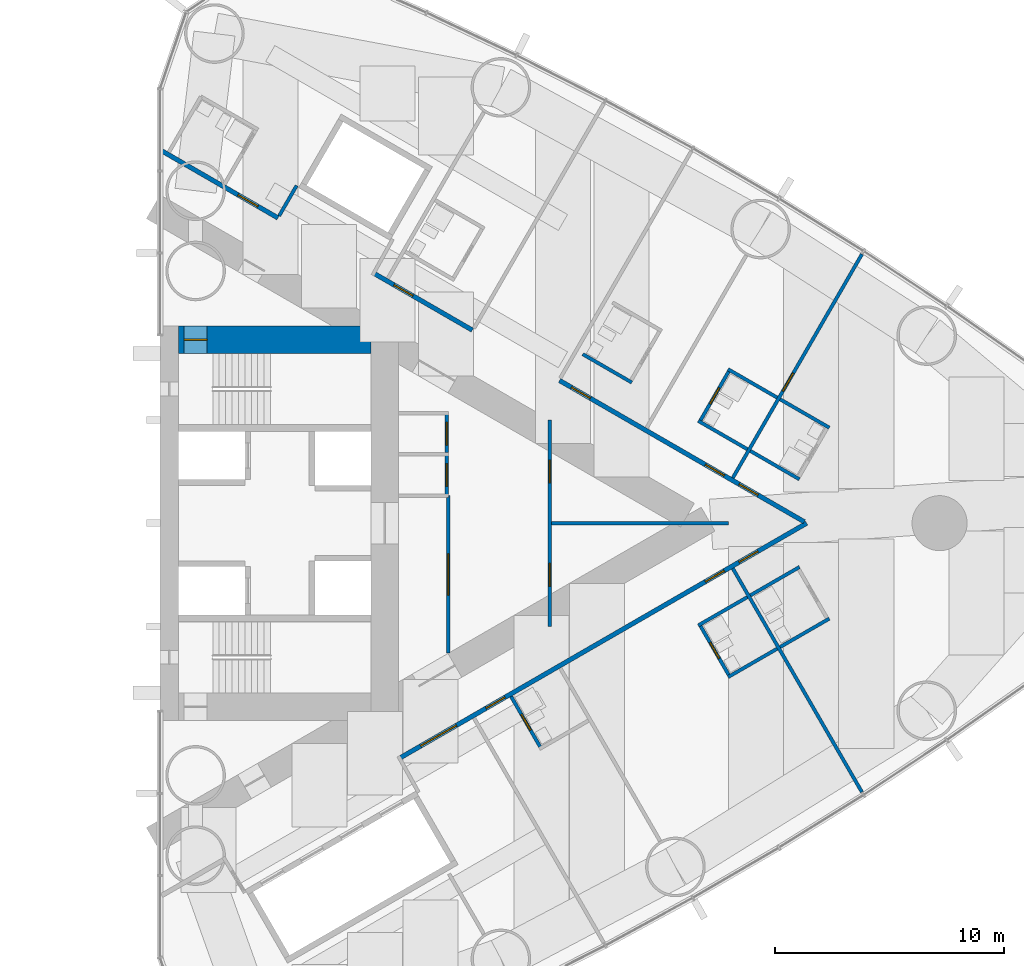
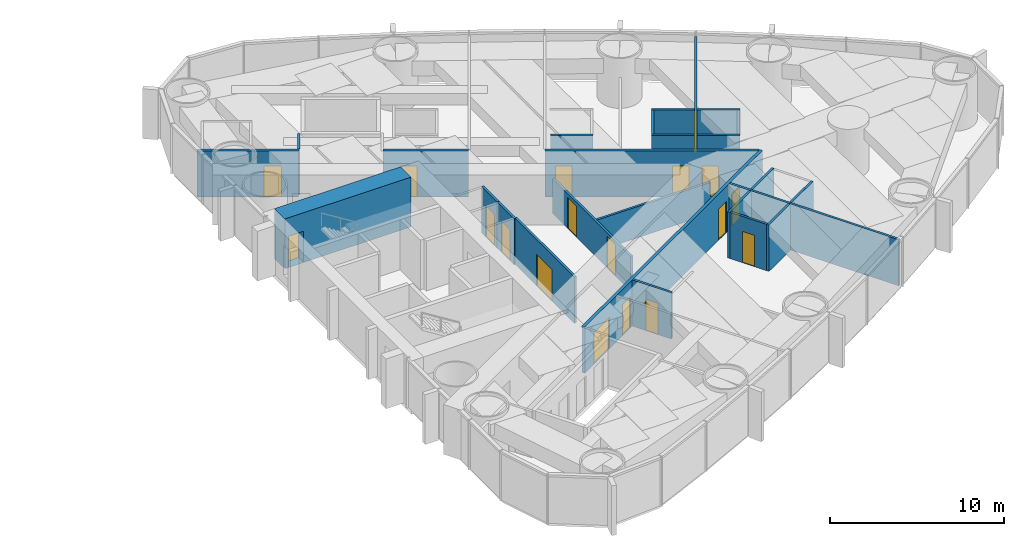
# One storey, part 14 of 18: 25 walls, 19 doors, 19 openings.
"""IFC4 building model written with IfcOpenShell, lengths in metres."""

import ifcopenshell
import ifcopenshell.guid

model = None  # the IFC model being written
_history = None  # IfcOwnerHistory: only IFC2X3 demands one
_inside = {}  # id of a spatial element -> (the spatial element, [elements in it])
_under = {}  # id of a project, library or spatial element -> (it, [spatial elements below it])
_declared = {}  # id of a project -> (the project, [libraries it declares])
_typed = {}  # id of a type object -> (the type object, [elements of that type])
_made_of = {}  # id of a material, layer set ... -> (it, [elements and type objects made of it])


def new_model(schema):
    """Start an empty IFC model of exactly this schema.

    Asked for "IFC4X3", IfcOpenShell would pick the latest addendum, in which some entities
    have other attributes; the version numbers below select the first issue.
    IFC2X3 requires an IfcOwnerHistory on every rooted entity: one is made here for all.
    """
    global model, _history
    if schema == "IFC4X3":
        model = ifcopenshell.file(schema_version=(4, 3, 0, 0))
    else:
        model = ifcopenshell.file(schema=schema)
    _inside.clear()
    _under.clear()
    _declared.clear()
    _typed.clear()
    _made_of.clear()
    _history = None
    if model.schema == "IFC2X3":
        org = make("IfcOrganization", Name="unknown")
        user = make(
            "IfcPersonAndOrganization",
            ThePerson=make("IfcPerson", FamilyName="unknown"),
            TheOrganization=org,
        )
        app = make(
            "IfcApplication",
            ApplicationDeveloper=org,
            Version="unknown",
            ApplicationFullName="unknown",
            ApplicationIdentifier="unknown",
        )
        _history = make(
            "IfcOwnerHistory",
            OwningUser=user,
            OwningApplication=app,
            ChangeAction="ADDED",
            CreationDate=0,
        )
    return model


def make(cls, **values):
    """One entity of the class cls with the attributes given. An attribute that is None is left unset."""
    return model.create_entity(
        cls, **{name: value for name, value in values.items() if value is not None}
    )


def rooted(cls, **values):
    """An entity with a GlobalId (a new one), such as an element, a storey or a relation."""
    return make(cls, GlobalId=ifcopenshell.guid.new(), OwnerHistory=_history, **values)


def si_unit(unit_type, name, prefix=None):
    """IfcSIUnit, for example si_unit("LENGTHUNIT", "METRE", prefix="MILLI")."""
    return make("IfcSIUnit", UnitType=unit_type, Prefix=prefix, Name=name)


def assignment(units):
    """IfcUnitAssignment: the units of a project."""
    return None if units is None else make("IfcUnitAssignment", Units=units)


def point(xyz):
    """IfcCartesianPoint."""
    return None if xyz is None else make("IfcCartesianPoint", Coordinates=xyz)


def direction(xyz):
    """IfcDirection."""
    return None if xyz is None else make("IfcDirection", DirectionRatios=xyz)


def frame(location, z_axis=None, x_axis=None):
    """IfcAxis2Placement3D, a coordinate frame: its origin and axes. An axis left out is left unset."""
    return make(
        "IfcAxis2Placement3D",
        Location=point(location),
        Axis=direction(z_axis),
        RefDirection=direction(x_axis),
    )


def frame_2d(location, x_axis=None):
    """IfcAxis2Placement2D, a coordinate frame in the plane: its origin and x axis."""
    return make(
        "IfcAxis2Placement2D", Location=point(location), RefDirection=direction(x_axis)
    )


def origin():
    """The frame at (0, 0, 0) with its axes left unset."""
    return frame((0.0, 0.0, 0.0))


def place(relative_to, where):
    """IfcLocalPlacement: puts the frame where relative to a parent placement (None: the world)."""
    return make(
        "IfcLocalPlacement", PlacementRelTo=relative_to, RelativePlacement=where
    )


def context(
    kind, dimensions, precision=None, world=None, true_north=None, identifier=None
):
    """IfcGeometricRepresentationContext, for example the 3D "Model" context."""
    return make(
        "IfcGeometricRepresentationContext",
        ContextIdentifier=identifier,
        ContextType=kind,
        CoordinateSpaceDimension=dimensions,
        Precision=precision,
        WorldCoordinateSystem=world,
        TrueNorth=true_north,
    )


def subcontext(parent, identifier, kind, view, scale=None):
    """IfcGeometricRepresentationSubContext, for example "Body" below "Model"."""
    return make(
        "IfcGeometricRepresentationSubContext",
        ContextIdentifier=identifier,
        ContextType=kind,
        ParentContext=parent,
        TargetScale=scale,
        TargetView=view,
    )


def project(units=None, contexts=None):
    """IfcProject with its units and contexts."""
    return rooted(
        "IfcProject",
        Name="project",
        RepresentationContexts=contexts,
        UnitsInContext=assignment(units),
    )


def spatial(cls, under=None, at=None, **own):
    """A site, building, storey or space (cls), placed at a placement, below another one or the project."""
    s = rooted(cls, ObjectPlacement=at, **own)
    if under is not None:
        _under.setdefault(under.id(), (under, []))[1].append(s)
    return s


def profile(cls, at=None, kind="AREA", **sizes):
    """A parametric profile (cls). Its sizes go by their IFC names, for example OverallWidth=200.0."""
    return make(cls, ProfileType=kind, Position=at, **sizes)


def rectangle(**sizes):
    """IfcRectangleProfileDef."""
    return profile("IfcRectangleProfileDef", **sizes)


def extrude(swept, where, along, depth):
    """IfcExtrudedAreaSolid: the profile swept, set in the frame where, extruded along a direction by depth."""
    return make(
        "IfcExtrudedAreaSolid",
        SweptArea=swept,
        Position=where,
        ExtrudedDirection=direction(along),
        Depth=depth,
    )


def shape(context_of_items, identifier, shape_type, items):
    """IfcShapeRepresentation: the items that make up one representation, for example the "Body"."""
    return make(
        "IfcShapeRepresentation",
        ContextOfItems=context_of_items,
        RepresentationIdentifier=identifier,
        RepresentationType=shape_type,
        Items=items,
    )


def material(Name=None, Category=None):
    """IfcMaterial."""
    return make("IfcMaterial", Name=Name, Category=Category)


def layer(
    of_material, thickness, ventilated=None, Name=None, Category=None, Priority=None
):
    """IfcMaterialLayer: one layer of a wall or slab, of a material (None: an air gap)."""
    return make(
        "IfcMaterialLayer",
        Material=of_material,
        LayerThickness=thickness,
        IsVentilated=ventilated,
        Name=Name,
        Category=Category,
        Priority=Priority,
    )


def layer_set(layers, Name=None):
    """IfcMaterialLayerSet."""
    return make("IfcMaterialLayerSet", MaterialLayers=layers, LayerSetName=Name)


def made_of(thing, what):
    """Note that an element or type object is made of a material, layer set ...; save() writes the relation."""
    if what is not None:
        _made_of.setdefault(what.id(), (what, []))[1].append(thing)
    return thing


def type_object(cls, material=None, **own):
    """A type object (cls), such as IfcWallType, which elements share."""
    return made_of(rooted(cls, **own), material)


def element(
    cls,
    number,
    at=None,
    inside=None,
    cuts=None,
    type_object=None,
    material=None,
    context=None,
    identifier="Body",
    shape_type=None,
    held_by="IfcProductDefinitionShape",
    body=None,
    shapes=None,
    **own,
):
    """One element of the class cls, such as IfcWall. Its Tag is "e" and its number.

    at: its placement. inside: the storey or other place that contains it. cuts: it is an
    opening in that element (IfcRelVoidsElement). A single representation is given by context,
    identifier, shape_type and body (its items); several are given by shapes. held_by: the class
    of the entity that holds the representations. save() writes the other relations.
    """
    e = rooted(cls, Tag="e%d" % number, ObjectPlacement=at, **own)
    if body is not None:
        shapes = [shape(context, identifier, shape_type, body)]
    if shapes is not None:
        e.Representation = make(held_by, Representations=shapes)
    if inside is not None:
        _inside.setdefault(inside.id(), (inside, []))[1].append(e)
    if cuts is not None:
        rooted(
            "IfcRelVoidsElement", RelatingBuildingElement=cuts, RelatedOpeningElement=e
        )
    if type_object is not None:
        _typed.setdefault(type_object.id(), (type_object, []))[1].append(e)
    return made_of(e, material)


def fill(opening, filler):
    """IfcRelFillsElement: the door or window that sits in an opening."""
    return rooted(
        "IfcRelFillsElement",
        RelatingOpeningElement=opening,
        RelatedBuildingElement=filler,
    )


def aggregate(whole, parts):
    """IfcRelAggregates: a whole, such as a stair, and the parts it consists of."""
    return rooted("IfcRelAggregates", RelatingObject=whole, RelatedObjects=parts)


def save(model, path):
    """Write the relations noted so far, then the file.

    IfcRelAggregates (storeys below a building ...), IfcRelContainedInSpatialStructure (elements
    in a storey), IfcRelDefinesByType, IfcRelAssociatesMaterial and IfcRelDeclares: one each for
    every whole, place, type object, material and project.
    """
    for whole, parts in _under.values():
        aggregate(whole, parts)
    for where, things in _inside.values():
        rooted(
            "IfcRelContainedInSpatialStructure",
            RelatedElements=things,
            RelatingStructure=where,
        )
    for kind, things in _typed.values():
        rooted("IfcRelDefinesByType", RelatedObjects=things, RelatingType=kind)
    for what, things in _made_of.values():
        rooted("IfcRelAssociatesMaterial", RelatedObjects=things, RelatingMaterial=what)
    for by, libraries in _declared.values():
        rooted("IfcRelDeclares", RelatingContext=by, RelatedDefinitions=libraries)
    model.write(path)


model = new_model("IFC4")

# Units and contexts
model_context = context("Model", 3, precision=1e-05, world=origin(), true_north=direction((0.0, 1.0)))
body_context = subcontext(model_context, "Body", "Model", "MODEL_VIEW")
ifc_project = project(units=[si_unit("LENGTHUNIT", "METRE"), si_unit("AREAUNIT", "SQUARE_METRE"), si_unit("VOLUMEUNIT", "CUBIC_METRE"), si_unit("PLANEANGLEUNIT", "RADIAN"), si_unit("MASSUNIT", "GRAM", prefix="KILO")], contexts=[model_context])

# Site, building, storey
site_placement = place(None, origin())
site = spatial("IfcSite", under=ifc_project, at=site_placement, CompositionType="ELEMENT")
building_placement = place(site_placement, origin())
building = spatial("IfcBuilding", under=site, at=building_placement, Name="Lancet Gate Hotel", CompositionType="ELEMENT")
storey_placement = place(building_placement, frame((0.0, 0.0, 115.10009765625)))
storey = spatial("IfcBuildingStorey", under=building, at=storey_placement, Name="L30", CompositionType="ELEMENT", Elevation=115.10009765625)

# Wall, opening, door
ifc_material_1 = material(Name="Moisture resistant board partition")
ifc_layer_1 = layer(ifc_material_1, 0.14990234375)
ifc_layer_set_1 = layer_set([ifc_layer_1], Name="Bathroom wall 150")
wall_type_1 = type_object("IfcWallType", Name="Bathroom wall 150", PredefinedType="PARTITIONING", material=ifc_layer_set_1)
wall_1_placement = place(storey_placement, frame((42.810302734375, -7.55859375, 0.0), z_axis=(0.0, 0.0, 1.0), x_axis=(0.499936506574, -0.866062058628, 0.0)))
wall_1 = element("IfcWall", 1, at=wall_1_placement, inside=storey, type_object=wall_type_1, Name="T2 bathroom wall 150 L30", PredefinedType="PARTITIONING", context=body_context, shape_type="SweptSolid", body=[
    extrude(rectangle(XDim=2.599853515625, YDim=0.14990234375, at=frame_2d((1.2998046875, 0.0))), origin(), (0.0, 0.0, 1.0), 3.25),
])
opening_1_placement = place(wall_1_placement, frame((0.89990234375, 0.0, 0.0)))
opening_1 = element("IfcOpeningElement", 2, at=opening_1_placement, cuts=wall_1, Name="Opening 3054-B", PredefinedType="OPENING", context=body_context, shape_type="SweptSolid", body=[
    extrude(rectangle(XDim=0.800048828125, YDim=2.199951171875, at=frame_2d((0.39990234375, 1.10009765625))), frame((0.0, 0.0849609375, 0.0), z_axis=(0.0, -1.0, 0.0), x_axis=(1.0, 0.0, 0.0)), (0.0, 0.0, 1.0), 0.169921875),
])
ifc_material_2 = material(Name="Timber door set", Category="wood")
door_type_1 = type_object("IfcDoorType", Name="Bathroom door 800", OperationType="SINGLE_SWING_RIGHT", PredefinedType="DOOR", material=ifc_material_2)
door_1_placement = place(opening_1_placement, origin())
door_1 = element("IfcDoor", 3, at=door_1_placement, inside=storey, type_object=door_type_1, Name="3054-B", OperationType="SINGLE_SWING_RIGHT", OverallHeight=2.199951171875, OverallWidth=0.800048828125, PredefinedType="DOOR", context=body_context, shape_type="SweptSolid", body=[
    extrude(rectangle(XDim=0.800048828125, YDim=2.199951171875, at=frame_2d((0.39990234375, 1.10009765625))), frame((0.0, 0.02490234375, 0.0), z_axis=(0.0, -1.0, 0.0), x_axis=(1.0, 0.0, 0.0)), (0.0, 0.0, 1.0), 0.050048828125),
])
fill(opening_1, door_1)

# Wall
wall_2_placement = place(storey_placement, frame((52.27294921875, -6.714111328125, 0.0), z_axis=(0.0, 0.0, 1.0), x_axis=(0.866031185235, 0.4999899861, 0.0)))
element("IfcWall", 4, at=wall_2_placement, inside=storey, type_object=wall_type_1, Name="T2 bathroom wall 150 L30", PredefinedType="PARTITIONING", context=body_context, shape_type="SweptSolid", body=[
    extrude(rectangle(XDim=2.47509765625, YDim=0.14990234375, at=frame_2d((1.237548828125, 0.0))), origin(), (0.0, 0.0, 1.0), 3.25),
])

# Wall, opening, door
wall_3_placement = place(storey_placement, frame((51.0380859375, -4.425048828125, 0.0), z_axis=(0.0, 0.0, 1.0), x_axis=(0.49997716683, -0.86603858612, 0.0)))
wall_3 = element("IfcWall", 5, at=wall_3_placement, inside=storey, type_object=wall_type_1, Name="T2 bathroom wall 150 L30", PredefinedType="PARTITIONING", context=body_context, shape_type="SweptSolid", body=[
    extrude(rectangle(XDim=2.599609375, YDim=0.14990234375, at=frame_2d((1.2998046875, 0.0))), origin(), (0.0, 0.0, 1.0), 3.25),
])
opening_2_placement = place(wall_3_placement, frame((0.89990234375, 0.0, 0.0)))
opening_2 = element("IfcOpeningElement", 6, at=opening_2_placement, cuts=wall_3, Name="Opening 3055-B", PredefinedType="OPENING", context=body_context, shape_type="SweptSolid", body=[
    extrude(rectangle(XDim=0.800048828125, YDim=2.199951171875, at=frame_2d((0.39990234375, 1.10009765625))), frame((0.0, 0.0849609375, 0.0), z_axis=(0.0, -1.0, 0.0), x_axis=(1.0, 0.0, 0.0)), (0.0, 0.0, 1.0), 0.169921875),
])
door_2_placement = place(opening_2_placement, origin())
door_2 = element("IfcDoor", 7, at=door_2_placement, inside=storey, type_object=door_type_1, Name="3055-B", OperationType="SINGLE_SWING_RIGHT", OverallHeight=2.199951171875, OverallWidth=0.800048828125, PredefinedType="DOOR", context=body_context, shape_type="SweptSolid", body=[
    extrude(rectangle(XDim=0.800048828125, YDim=2.199951171875, at=frame_2d((0.39990234375, 1.10009765625))), frame((0.0, 0.02490234375, 0.0), z_axis=(0.0, -1.0, 0.0), x_axis=(1.0, 0.0, 0.0)), (0.0, 0.0, 1.0), 0.050048828125),
])
fill(opening_2, door_2)

# Walls
wall_4_placement = place(storey_placement, frame((50.972900390625, -4.46240234375, 0.0), z_axis=(0.0, 0.0, 1.0), x_axis=(0.866031185235, 0.4999899861, 0.0)))
element("IfcWall", 8, at=wall_4_placement, inside=storey, type_object=wall_type_1, Name="T2 bathroom wall 150 L30", PredefinedType="PARTITIONING", context=body_context, shape_type="SweptSolid", body=[
    extrude(rectangle(XDim=2.47509765625, YDim=0.14990234375, at=frame_2d((1.237548828125, 0.0))), origin(), (0.0, 0.0, 1.0), 3.25),
])
for number, where, z_axis, x_axis, name in (
    (9, (54.54638671875, -5.401611328125, 0.0), (0.0, 0.0, 1.0), (0.866006523861, 0.500032699561, 0.0), "T2 bathroom wall 150 L30"),
    (10, (53.246337890625, -3.14990234375, 0.0), (0.0, 0.0, 1.0), (0.866006523861, 0.500032699561, 0.0), "T2 bathroom wall 150 L30"),
    (11, (54.54638671875, 5.401611328125, 0.0), (0.0, 0.0, 1.0), (0.866006523861, -0.500032699561, 0.0), "T2 bathroom wall 150 L30"),
    (12, (53.246337890625, 3.14990234375, 0.0), (0.0, 0.0, 1.0), (0.866006523861, -0.500032699561, 0.0), "T2 bathroom wall 150 L30"),
):
    element("IfcWall", number, at=place(storey_placement, frame(where, z_axis=z_axis, x_axis=x_axis)), inside=storey, type_object=wall_type_1, Name=name, PredefinedType="PARTITIONING", context=body_context, shape_type="SweptSolid", body=[
        extrude(rectangle(XDim=2.474853515625, YDim=0.14990234375, at=frame_2d((1.2373046875, 0.0))), origin(), (0.0, 0.0, 1.0), 3.25),
    ])
wall_5_placement = place(storey_placement, frame((52.27294921875, 6.714111328125, 0.0), z_axis=(0.0, 0.0, 1.0), x_axis=(0.866031185235, -0.4999899861, 0.0)))
element("IfcWall", 13, at=wall_5_placement, inside=storey, type_object=wall_type_1, Name="T2 bathroom wall 150 L30", PredefinedType="PARTITIONING", context=body_context, shape_type="SweptSolid", body=[
    extrude(rectangle(XDim=2.47509765625, YDim=0.14990234375, at=frame_2d((1.237548828125, 0.0))), origin(), (0.0, 0.0, 1.0), 3.25),
])

# Wall, opening, door
wall_6_placement = place(storey_placement, frame((51.0380859375, 4.425048828125, 0.0), z_axis=(0.0, 0.0, 1.0), x_axis=(0.49997716683, 0.86603858612, 0.0)))
wall_6 = element("IfcWall", 14, at=wall_6_placement, inside=storey, type_object=wall_type_1, Name="T2 bathroom wall 150 L30", PredefinedType="PARTITIONING", context=body_context, shape_type="SweptSolid", body=[
    extrude(rectangle(XDim=2.599609375, YDim=0.14990234375, at=frame_2d((1.2998046875, 0.0))), origin(), (0.0, 0.0, 1.0), 3.25),
])
opening_3_placement = place(wall_6_placement, frame((0.89990234375, 0.0, 0.0)))
opening_3 = element("IfcOpeningElement", 15, at=opening_3_placement, cuts=wall_6, Name="Opening 3059-B", PredefinedType="OPENING", context=body_context, shape_type="SweptSolid", body=[
    extrude(rectangle(XDim=0.800048828125, YDim=2.199951171875, at=frame_2d((0.39990234375, 1.10009765625))), frame((0.0, 0.0849609375, 0.0), z_axis=(0.0, -1.0, 0.0), x_axis=(1.0, 0.0, 0.0)), (0.0, 0.0, 1.0), 0.169921875),
])
door_3_placement = place(opening_3_placement, origin())
door_3 = element("IfcDoor", 16, at=door_3_placement, inside=storey, type_object=door_type_1, Name="3059-B", OperationType="SINGLE_SWING_RIGHT", OverallHeight=2.199951171875, OverallWidth=0.800048828125, PredefinedType="DOOR", context=body_context, shape_type="SweptSolid", body=[
    extrude(rectangle(XDim=0.800048828125, YDim=2.199951171875, at=frame_2d((0.39990234375, 1.10009765625))), frame((0.0, 0.02490234375, 0.0), z_axis=(0.0, -1.0, 0.0), x_axis=(1.0, 0.0, 0.0)), (0.0, 0.0, 1.0), 0.050048828125),
])
fill(opening_3, door_3)

# Walls
for number, where, z_axis, x_axis, name in (
    (17, (50.972900390625, 4.46240234375, 0.0), (0.0, 0.0, 1.0), (0.866031185235, -0.4999899861, 0.0), "T2 bathroom wall 150 L30"),
    (18, (45.93505859375, 7.37109375, 0.0), (0.0, 0.0, 1.0), (0.866031185235, -0.4999899861, 0.0), "T2 bathroom wall 150 L30"),
):
    element("IfcWall", number, at=place(storey_placement, frame(where, z_axis=z_axis, x_axis=x_axis)), inside=storey, type_object=wall_type_1, Name=name, PredefinedType="PARTITIONING", context=body_context, shape_type="SweptSolid", body=[
        extrude(rectangle(XDim=2.47509765625, YDim=0.14990234375, at=frame_2d((1.237548828125, 0.0))), origin(), (0.0, 0.0, 1.0), 3.25),
    ])

# Wall, opening, door
ifc_material_3 = material(Name="Concrete C70/85", Category="concrete")
ifc_layer_2 = layer(ifc_material_3, 1.199951171875)
ifc_layer_set_2 = layer_set([ifc_layer_2], Name="Core wall 1200")
wall_type_2 = type_object("IfcWallType", Name="Core wall 1200", PredefinedType="SHEAR", material=ifc_layer_set_2)
wall_7_placement = place(storey_placement, frame((28.300048828125, 8.0, 0.0), z_axis=(0.0, 0.0, 1.0), x_axis=(1.0, 0.0, 0.0)))
wall_7 = element("IfcWall", 19, at=wall_7_placement, inside=storey, type_object=wall_type_2, Name="T2 core wall side-N L30", PredefinedType="SHEAR", context=body_context, shape_type="SweptSolid", body=[
    extrude(rectangle(XDim=8.39990234375, YDim=1.199951171875, at=frame_2d((4.199951171875, 0.0))), origin(), (0.0, 0.0, 1.0), 3.5),
])
opening_4_placement = place(wall_7_placement, frame((0.25, 0.0, 0.0)))
opening_4 = element("IfcOpeningElement", 20, at=opening_4_placement, cuts=wall_7, Name="Opening T2-L30-ST2", PredefinedType="OPENING", context=body_context, shape_type="SweptSolid", body=[
    extrude(rectangle(XDim=1.0, YDim=2.199951171875, at=frame_2d((0.5, 1.10009765625))), frame((0.0, 0.60986328125, 0.0), z_axis=(0.0, -1.0, 0.0), x_axis=(1.0, 0.0, 0.0)), (0.0, 0.0, 1.0), 1.219970703125),
])
ifc_material_4 = material(Name="Timber door set", Category="wood")
door_type_2 = type_object("IfcDoorType", Name="Stair door 1000", OperationType="SINGLE_SWING_RIGHT", PredefinedType="DOOR", material=ifc_material_4)
door_4_placement = place(opening_4_placement, origin())
door_4 = element("IfcDoor", 21, at=door_4_placement, inside=storey, type_object=door_type_2, Name="T2-L30-ST2", OperationType="SINGLE_SWING_RIGHT", OverallHeight=2.199951171875, OverallWidth=1.0, PredefinedType="DOOR", context=body_context, shape_type="SweptSolid", body=[
    extrude(rectangle(XDim=1.0, YDim=2.199951171875, at=frame_2d((0.5, 1.10009765625))), frame((0.0, 0.02490234375, 0.0), z_axis=(0.0, -1.0, 0.0), x_axis=(1.0, 0.0, 0.0)), (0.0, 0.0, 1.0), 0.050048828125),
])
fill(opening_4, door_4)

# Wall, openings, doors
ifc_material_5 = material(Name="Gypsum board partition")
ifc_layer_3 = layer(ifc_material_5, 0.199951171875)
ifc_layer_set_3 = layer_set([ifc_layer_3], Name="Corridor wall 200")
wall_type_3 = type_object("IfcWallType", Name="Corridor wall 200", PredefinedType="PARTITIONING", material=ifc_layer_set_3)
wall_8_placement = place(storey_placement, frame((37.9599609375, -10.243408203125, 0.0), z_axis=(0.0, 0.0, 1.0), x_axis=(0.866026429433, 0.499998223521, 0.0)))
wall_8 = element("IfcWall", 22, at=wall_8_placement, inside=storey, type_object=wall_type_3, Name="T2 corridor wall 200 L30", PredefinedType="PARTITIONING", context=body_context, shape_type="SweptSolid", body=[
    extrude(rectangle(XDim=20.48681640625, YDim=0.199951171875, at=frame_2d((10.243408203125, 0.0))), origin(), (0.0, 0.0, 1.0), 3.25),
])
opening_5_placement = place(wall_8_placement, frame((4.3427734375, 0.0, 0.0)))
opening_5 = element("IfcOpeningElement", 23, at=opening_5_placement, cuts=wall_8, Name="Opening 3054-E", PredefinedType="OPENING", context=body_context, shape_type="SweptSolid", body=[
    extrude(rectangle(XDim=0.949951171875, YDim=2.199951171875, at=frame_2d((0.47509765625, 1.10009765625))), frame((0.0, 0.10986328125, 0.0), z_axis=(0.0, -1.0, 0.0), x_axis=(1.0, 0.0, 0.0)), (0.0, 0.0, 1.0), 0.219970703125),
])
opening_6_placement = place(wall_8_placement, frame((15.385009765625, 0.0, 0.0)))
opening_6 = element("IfcOpeningElement", 24, at=opening_6_placement, cuts=wall_8, Name="Opening 3055-E", PredefinedType="OPENING", context=body_context, shape_type="SweptSolid", body=[
    extrude(rectangle(XDim=0.949951171875, YDim=2.199951171875, at=frame_2d((0.47509765625, 1.10009765625))), frame((0.0, 0.10986328125, 0.0), z_axis=(0.0, -1.0, 0.0), x_axis=(1.0, 0.0, 0.0)), (0.0, 0.0, 1.0), 0.219970703125),
])
opening_7_placement = place(wall_8_placement, frame((17.085205078125, 0.0, 0.0)))
opening_7 = element("IfcOpeningElement", 25, at=opening_7_placement, cuts=wall_8, Name="Opening 3057-E", PredefinedType="OPENING", context=body_context, shape_type="SweptSolid", body=[
    extrude(rectangle(XDim=0.949951171875, YDim=2.199951171875, at=frame_2d((0.47509765625, 1.10009765625))), frame((0.0, 0.10986328125, 0.0), z_axis=(0.0, -1.0, 0.0), x_axis=(1.0, 0.0, 0.0)), (0.0, 0.0, 1.0), 0.219970703125),
])
opening_8_placement = place(wall_8_placement, frame((1.04833984375, 0.0, 0.0)))
opening_8 = element("IfcOpeningElement", 26, at=opening_8_placement, cuts=wall_8, Name="Opening T2-L30-LO2", PredefinedType="OPENING", context=body_context, shape_type="SweptSolid", body=[
    extrude(rectangle(XDim=1.800048828125, YDim=2.199951171875, at=frame_2d((0.89990234375, 1.10009765625))), frame((0.0, 0.10986328125, 0.0), z_axis=(0.0, -1.0, 0.0), x_axis=(1.0, 0.0, 0.0)), (0.0, 0.0, 1.0), 0.219970703125),
])
ifc_material_6 = material(Name="Timber door set", Category="wood")
door_type_3 = type_object("IfcDoorType", Name="Double door 1800", OperationType="DOUBLE_DOOR_SINGLE_SWING", PredefinedType="DOOR", material=ifc_material_6)
door_5_placement = place(opening_8_placement, origin())
door_5 = element("IfcDoor", 27, at=door_5_placement, inside=storey, type_object=door_type_3, Name="T2-L30-LO2", OperationType="DOUBLE_DOOR_SINGLE_SWING", OverallHeight=2.199951171875, OverallWidth=1.800048828125, PredefinedType="DOOR", context=body_context, shape_type="SweptSolid", body=[
    extrude(rectangle(XDim=1.800048828125, YDim=2.199951171875, at=frame_2d((0.89990234375, 1.10009765625))), frame((0.0, 0.02490234375, 0.0), z_axis=(0.0, -1.0, 0.0), x_axis=(1.0, 0.0, 0.0)), (0.0, 0.0, 1.0), 0.050048828125),
])
fill(opening_8, door_5)
ifc_material_7 = material(Name="Timber door set", Category="wood")
door_type_4 = type_object("IfcDoorType", Name="Guest room entry door 950", OperationType="SINGLE_SWING_LEFT", PredefinedType="DOOR", material=ifc_material_7)
door_6_placement = place(opening_5_placement, origin())
door_6 = element("IfcDoor", 28, at=door_6_placement, inside=storey, type_object=door_type_4, Name="3054-E", OperationType="SINGLE_SWING_LEFT", OverallHeight=2.199951171875, OverallWidth=0.949951171875, PredefinedType="DOOR", context=body_context, shape_type="SweptSolid", body=[
    extrude(rectangle(XDim=0.949951171875, YDim=2.199951171875, at=frame_2d((0.47509765625, 1.10009765625))), frame((0.0, 0.02490234375, 0.0), z_axis=(0.0, -1.0, 0.0), x_axis=(1.0, 0.0, 0.0)), (0.0, 0.0, 1.0), 0.050048828125),
])
fill(opening_5, door_6)
door_7_placement = place(opening_6_placement, origin())
door_7 = element("IfcDoor", 29, at=door_7_placement, inside=storey, type_object=door_type_4, Name="3055-E", OperationType="SINGLE_SWING_LEFT", OverallHeight=2.199951171875, OverallWidth=0.949951171875, PredefinedType="DOOR", context=body_context, shape_type="SweptSolid", body=[
    extrude(rectangle(XDim=0.949951171875, YDim=2.199951171875, at=frame_2d((0.47509765625, 1.10009765625))), frame((0.0, 0.02490234375, 0.0), z_axis=(0.0, -1.0, 0.0), x_axis=(1.0, 0.0, 0.0)), (0.0, 0.0, 1.0), 0.050048828125),
])
fill(opening_6, door_7)
door_8_placement = place(opening_7_placement, origin())
door_8 = element("IfcDoor", 30, at=door_8_placement, inside=storey, type_object=door_type_4, Name="3057-E", OperationType="SINGLE_SWING_LEFT", OverallHeight=2.199951171875, OverallWidth=0.949951171875, PredefinedType="DOOR", context=body_context, shape_type="SweptSolid", body=[
    extrude(rectangle(XDim=0.949951171875, YDim=2.199951171875, at=frame_2d((0.47509765625, 1.10009765625))), frame((0.0, 0.02490234375, 0.0), z_axis=(0.0, -1.0, 0.0), x_axis=(1.0, 0.0, 0.0)), (0.0, 0.0, 1.0), 0.050048828125),
])
fill(opening_7, door_8)

# Wall, opening, door
wall_9_placement = place(storey_placement, frame((27.572021484375, 16.240966796875, 0.0), z_axis=(0.0, 0.0, 1.0), x_axis=(0.866032814021, -0.499987164874, 0.0)))
wall_9 = element("IfcWall", 31, at=wall_9_placement, inside=storey, type_object=wall_type_3, Name="T2 corridor wall 200 L30", PredefinedType="PARTITIONING", context=body_context, shape_type="SweptSolid", body=[
    extrude(rectangle(XDim=5.854736328125, YDim=0.199951171875, at=frame_2d((2.92724609375, 0.0))), origin(), (0.0, 0.0, 1.0), 3.25),
])
opening_9_placement = place(wall_9_placement, frame((3.85009765625, 0.0, 0.0)))
opening_9 = element("IfcOpeningElement", 32, at=opening_9_placement, cuts=wall_9, Name="Opening 3063-E", PredefinedType="OPENING", context=body_context, shape_type="SweptSolid", body=[
    extrude(rectangle(XDim=1.0, YDim=2.199951171875, at=frame_2d((0.5, 1.10009765625))), frame((0.0, 0.10986328125, 0.0), z_axis=(0.0, -1.0, 0.0), x_axis=(1.0, 0.0, 0.0)), (0.0, 0.0, 1.0), 0.219970703125),
])
ifc_material_8 = material(Name="Timber door set", Category="wood")
door_type_5 = type_object("IfcDoorType", Name="Accessible guest room door 1000", OperationType="SINGLE_SWING_LEFT", PredefinedType="DOOR", material=ifc_material_8)
door_9_placement = place(opening_9_placement, origin())
door_9 = element("IfcDoor", 33, at=door_9_placement, inside=storey, type_object=door_type_5, Name="3063-E", OperationType="SINGLE_SWING_LEFT", OverallHeight=2.199951171875, OverallWidth=1.0, PredefinedType="DOOR", context=body_context, shape_type="SweptSolid", body=[
    extrude(rectangle(XDim=1.0, YDim=2.199951171875, at=frame_2d((0.5, 1.10009765625))), frame((0.0, 0.02490234375, 0.0), z_axis=(0.0, -1.0, 0.0), x_axis=(1.0, 0.0, 0.0)), (0.0, 0.0, 1.0), 0.050048828125),
])
fill(opening_9, door_9)

wall_10_placement = place(storey_placement, frame((36.833984375, 10.8935546875, 0.0), z_axis=(0.0, 0.0, 1.0), x_axis=(0.866032723471, -0.499987321717, 0.0)))
wall_10 = element("IfcWall", 34, at=wall_10_placement, inside=storey, type_object=wall_type_3, Name="T2 corridor wall 200 L30", PredefinedType="PARTITIONING", context=body_context, shape_type="SweptSolid", body=[
    extrude(rectangle(XDim=4.947021484375, YDim=0.199951171875, at=frame_2d((2.4736328125, 0.0))), origin(), (0.0, 0.0, 1.0), 3.25),
])
opening_10_placement = place(wall_10_placement, frame((1.005615234375, 0.0, 0.0)))
opening_10 = element("IfcOpeningElement", 35, at=opening_10_placement, cuts=wall_10, Name="Opening 3062-E", PredefinedType="OPENING", context=body_context, shape_type="SweptSolid", body=[
    extrude(rectangle(XDim=0.949951171875, YDim=2.199951171875, at=frame_2d((0.47509765625, 1.10009765625))), frame((0.0, 0.10986328125, 0.0), z_axis=(0.0, -1.0, 0.0), x_axis=(1.0, 0.0, 0.0)), (0.0, 0.0, 1.0), 0.219970703125),
])
door_10_placement = place(opening_10_placement, origin())
door_10 = element("IfcDoor", 36, at=door_10_placement, inside=storey, type_object=door_type_4, Name="3062-E", OperationType="SINGLE_SWING_LEFT", OverallHeight=2.199951171875, OverallWidth=0.949951171875, PredefinedType="DOOR", context=body_context, shape_type="SweptSolid", body=[
    extrude(rectangle(XDim=0.949951171875, YDim=2.199951171875, at=frame_2d((0.47509765625, 1.10009765625))), frame((0.0, 0.02490234375, 0.0), z_axis=(0.0, -1.0, 0.0), x_axis=(1.0, 0.0, 0.0)), (0.0, 0.0, 1.0), 0.050048828125),
])
fill(opening_10, door_10)

# Wall, openings, doors
wall_11_placement = place(storey_placement, frame((44.92529296875, 6.22216796875, 0.0), z_axis=(0.0, 0.0, 1.0), x_axis=(0.866025590081, -0.499999677325, 0.0)))
wall_11 = element("IfcWall", 37, at=wall_11_placement, inside=storey, type_object=wall_type_3, Name="T2 corridor wall 200 L30", PredefinedType="PARTITIONING", context=body_context, shape_type="SweptSolid", body=[
    extrude(rectangle(XDim=12.32421875, YDim=0.199951171875, at=frame_2d((6.162109375, 0.0))), origin(), (0.0, 0.0, 1.0), 3.25),
])
opening_11_placement = place(wall_11_placement, frame((9.042236328125, 0.0, 0.0)))
opening_11 = element("IfcOpeningElement", 38, at=opening_11_placement, cuts=wall_11, Name="Opening 3058-E", PredefinedType="OPENING", context=body_context, shape_type="SweptSolid", body=[
    extrude(rectangle(XDim=0.949951171875, YDim=2.199951171875, at=frame_2d((0.47509765625, 1.10009765625))), frame((0.0, 0.10986328125, 0.0), z_axis=(0.0, -1.0, 0.0), x_axis=(1.0, 0.0, 0.0)), (0.0, 0.0, 1.0), 0.219970703125),
])
opening_12_placement = place(wall_11_placement, frame((7.34228515625, 0.0, 0.0)))
opening_12 = element("IfcOpeningElement", 39, at=opening_12_placement, cuts=wall_11, Name="Opening 3059-E", PredefinedType="OPENING", context=body_context, shape_type="SweptSolid", body=[
    extrude(rectangle(XDim=0.949951171875, YDim=2.199951171875, at=frame_2d((0.47509765625, 1.10009765625))), frame((0.0, 0.10986328125, 0.0), z_axis=(0.0, -1.0, 0.0), x_axis=(1.0, 0.0, 0.0)), (0.0, 0.0, 1.0), 0.219970703125),
])
opening_13_placement = place(wall_11_placement, frame((0.60009765625, 0.0, 0.0)))
opening_13 = element("IfcOpeningElement", 40, at=opening_13_placement, cuts=wall_11, Name="Opening 3060-E", PredefinedType="OPENING", context=body_context, shape_type="SweptSolid", body=[
    extrude(rectangle(XDim=0.949951171875, YDim=2.199951171875, at=frame_2d((0.47509765625, 1.10009765625))), frame((0.0, 0.10986328125, 0.0), z_axis=(0.0, -1.0, 0.0), x_axis=(1.0, 0.0, 0.0)), (0.0, 0.0, 1.0), 0.219970703125),
])
door_11_placement = place(opening_11_placement, origin())
door_11 = element("IfcDoor", 41, at=door_11_placement, inside=storey, type_object=door_type_4, Name="3058-E", OperationType="SINGLE_SWING_LEFT", OverallHeight=2.199951171875, OverallWidth=0.949951171875, PredefinedType="DOOR", context=body_context, shape_type="SweptSolid", body=[
    extrude(rectangle(XDim=0.949951171875, YDim=2.199951171875, at=frame_2d((0.47509765625, 1.10009765625))), frame((0.0, 0.02490234375, 0.0), z_axis=(0.0, -1.0, 0.0), x_axis=(1.0, 0.0, 0.0)), (0.0, 0.0, 1.0), 0.050048828125),
])
fill(opening_11, door_11)
door_12_placement = place(opening_12_placement, origin())
door_12 = element("IfcDoor", 42, at=door_12_placement, inside=storey, type_object=door_type_4, Name="3059-E", OperationType="SINGLE_SWING_LEFT", OverallHeight=2.199951171875, OverallWidth=0.949951171875, PredefinedType="DOOR", context=body_context, shape_type="SweptSolid", body=[
    extrude(rectangle(XDim=0.949951171875, YDim=2.199951171875, at=frame_2d((0.47509765625, 1.10009765625))), frame((0.0, 0.02490234375, 0.0), z_axis=(0.0, -1.0, 0.0), x_axis=(1.0, 0.0, 0.0)), (0.0, 0.0, 1.0), 0.050048828125),
])
fill(opening_12, door_12)
door_13_placement = place(opening_13_placement, origin())
door_13 = element("IfcDoor", 43, at=door_13_placement, inside=storey, type_object=door_type_4, Name="3060-E", OperationType="SINGLE_SWING_LEFT", OverallHeight=2.199951171875, OverallWidth=0.949951171875, PredefinedType="DOOR", context=body_context, shape_type="SweptSolid", body=[
    extrude(rectangle(XDim=0.949951171875, YDim=2.199951171875, at=frame_2d((0.47509765625, 1.10009765625))), frame((0.0, 0.02490234375, 0.0), z_axis=(0.0, -1.0, 0.0), x_axis=(1.0, 0.0, 0.0)), (0.0, 0.0, 1.0), 0.050048828125),
])
fill(opening_13, door_13)

# Wall
ifc_material_9 = material(Name="Gypsum board partition")
ifc_layer_4 = layer(ifc_material_9, 0.14990234375)
ifc_layer_set_4 = layer_set([ifc_layer_4], Name="Party wall 150")
wall_type_4 = type_object("IfcWallType", Name="Party wall 150", PredefinedType="PARTITIONING", material=ifc_layer_set_4)
wall_12_placement = place(storey_placement, frame((52.4814453125, -1.97509765625, 0.0), z_axis=(0.0, 0.0, 1.0), x_axis=(0.500003867771, -0.866023170714, 0.0)))
element("IfcWall", 44, at=wall_12_placement, inside=storey, type_object=wall_type_4, Name="T2 party wall 150 L30", PredefinedType="PARTITIONING", context=body_context, shape_type="SweptSolid", body=[
    extrude(rectangle(XDim=11.2646484375, YDim=0.14990234375, at=frame_2d((5.63232421875, 0.0))), origin(), (0.0, 0.0, 1.0), 3.25),
])

# Wall, opening, door
wall_13_placement = place(storey_placement, frame((52.4814453125, 1.97509765625, 0.0), z_axis=(0.0, 0.0, 1.0), x_axis=(0.500003867771, 0.866023170714, 0.0)))
wall_13 = element("IfcWall", 45, at=wall_13_placement, inside=storey, type_object=wall_type_4, Name="T2 party wall 150 L30", PredefinedType="PARTITIONING", context=body_context, shape_type="SweptSolid", body=[
    extrude(rectangle(XDim=11.2646484375, YDim=0.14990234375, at=frame_2d((5.63232421875, 0.0))), origin(), (0.0, 0.0, 1.0), 3.25),
])
opening_14_placement = place(wall_13_placement, frame((4.375, 0.0, 0.0)))
opening_14 = element("IfcOpeningElement", 46, at=opening_14_placement, cuts=wall_13, Name="Opening 3058C", PredefinedType="OPENING", context=body_context, shape_type="SweptSolid", body=[
    extrude(rectangle(XDim=0.89990234375, YDim=2.199951171875, at=frame_2d((0.449951171875, 1.10009765625))), frame((0.0, 0.0849609375, 0.0), z_axis=(0.0, -1.0, 0.0), x_axis=(1.0, 0.0, 0.0)), (0.0, 0.0, 1.0), 0.169921875),
])
ifc_material_10 = material(Name="Timber door set", Category="wood")
door_type_6 = type_object("IfcDoorType", Name="Connecting door 900", OperationType="SINGLE_SWING_LEFT", PredefinedType="DOOR", material=ifc_material_10)
door_14_placement = place(opening_14_placement, origin())
door_14 = element("IfcDoor", 47, at=door_14_placement, inside=storey, type_object=door_type_6, Name="3058C", OperationType="SINGLE_SWING_LEFT", OverallHeight=2.199951171875, OverallWidth=0.89990234375, PredefinedType="DOOR", context=body_context, shape_type="SweptSolid", body=[
    extrude(rectangle(XDim=0.89990234375, YDim=2.199951171875, at=frame_2d((0.449951171875, 1.10009765625))), frame((0.0, 0.02490234375, 0.0), z_axis=(0.0, -1.0, 0.0), x_axis=(1.0, 0.0, 0.0)), (0.0, 0.0, 1.0), 0.050048828125),
])
fill(opening_14, door_14)

# Wall
ifc_material_11 = material(Name="Gypsum board partition")
ifc_layer_5 = layer(ifc_material_11, 0.14990234375)
ifc_layer_set_5 = layer_set([ifc_layer_5], Name="Service room wall 150")
wall_type_5 = type_object("IfcWallType", Name="Service room wall 150", PredefinedType="PARTITIONING", material=ifc_layer_set_5)
wall_14_placement = place(storey_placement, frame((32.6923828125, 13.400390625, 0.0), z_axis=(0.0, 0.0, 1.0), x_axis=(0.499985008713, 0.866034058835, 0.0)))
element("IfcWall", 48, at=wall_14_placement, inside=storey, type_object=wall_type_5, Name="T2 service room wall 150 L30", PredefinedType="PARTITIONING", context=body_context, shape_type="SweptSolid", body=[
    extrude(rectangle(XDim=1.529296875, YDim=0.14990234375, at=frame_2d((0.7646484375, 0.0))), origin(), (0.0, 0.0, 1.0), 3.25),
])

# Wall, opening, door
wall_15_placement = place(storey_placement, frame((40.0, 1.125, 0.0), z_axis=(0.0, 0.0, 1.0), x_axis=(0.0, 1.0, 0.0)))
wall_15 = element("IfcWall", 49, at=wall_15_placement, inside=storey, type_object=wall_type_5, Name="T2 service room wall 150 L30", PredefinedType="PARTITIONING", context=body_context, shape_type="SweptSolid", body=[
    extrude(rectangle(XDim=1.949951171875, YDim=0.14990234375, at=frame_2d((0.97509765625, 0.0))), origin(), (0.0, 0.0, 1.0), 3.25),
])
opening_15_placement = place(wall_15_placement, frame((0.47509765625, 0.0, 0.0)))
opening_15 = element("IfcOpeningElement", 50, at=opening_15_placement, cuts=wall_15, Name="Opening T2-L30-HRN0", PredefinedType="OPENING", context=body_context, shape_type="SweptSolid", body=[
    extrude(rectangle(XDim=1.0, YDim=2.199951171875, at=frame_2d((0.5, 1.10009765625))), frame((0.0, 0.0849609375, 0.0), z_axis=(0.0, -1.0, 0.0), x_axis=(1.0, 0.0, 0.0)), (0.0, 0.0, 1.0), 0.169921875),
])
ifc_material_12 = material(Name="Timber door set", Category="wood")
door_type_7 = type_object("IfcDoorType", Name="Service door 1000", OperationType="SINGLE_SWING_LEFT", PredefinedType="DOOR", material=ifc_material_12)
door_15_placement = place(opening_15_placement, origin())
door_15 = element("IfcDoor", 51, at=door_15_placement, inside=storey, type_object=door_type_7, Name="T2-L30-HRN0", OperationType="SINGLE_SWING_LEFT", OverallHeight=2.199951171875, OverallWidth=1.0, PredefinedType="DOOR", context=body_context, shape_type="SweptSolid", body=[
    extrude(rectangle(XDim=1.0, YDim=2.199951171875, at=frame_2d((0.5, 1.10009765625))), frame((0.0, 0.02490234375, 0.0), z_axis=(0.0, -1.0, 0.0), x_axis=(1.0, 0.0, 0.0)), (0.0, 0.0, 1.0), 0.050048828125),
])
fill(opening_15, door_15)

wall_16_placement = place(storey_placement, frame((40.0, 2.925048828125, 0.0), z_axis=(0.0, 0.0, 1.0), x_axis=(0.0, 1.0, 0.0)))
wall_16 = element("IfcWall", 52, at=wall_16_placement, inside=storey, type_object=wall_type_5, Name="T2 service room wall 150 L30", PredefinedType="PARTITIONING", context=body_context, shape_type="SweptSolid", body=[
    extrude(rectangle(XDim=1.949951171875, YDim=0.14990234375, at=frame_2d((0.97509765625, 0.0))), origin(), (0.0, 0.0, 1.0), 3.25),
])
opening_16_placement = place(wall_16_placement, frame((0.47509765625, 0.0, 0.0)))
opening_16 = element("IfcOpeningElement", 53, at=opening_16_placement, cuts=wall_16, Name="Opening T2-L30-HRN1", PredefinedType="OPENING", context=body_context, shape_type="SweptSolid", body=[
    extrude(rectangle(XDim=1.0, YDim=2.199951171875, at=frame_2d((0.5, 1.10009765625))), frame((0.0, 0.0849609375, 0.0), z_axis=(0.0, -1.0, 0.0), x_axis=(1.0, 0.0, 0.0)), (0.0, 0.0, 1.0), 0.169921875),
])
door_16_placement = place(opening_16_placement, origin())
door_16 = element("IfcDoor", 54, at=door_16_placement, inside=storey, type_object=door_type_7, Name="T2-L30-HRN1", OperationType="SINGLE_SWING_LEFT", OverallHeight=2.199951171875, OverallWidth=1.0, PredefinedType="DOOR", context=body_context, shape_type="SweptSolid", body=[
    extrude(rectangle(XDim=1.0, YDim=2.199951171875, at=frame_2d((0.5, 1.10009765625))), frame((0.0, 0.02490234375, 0.0), z_axis=(0.0, -1.0, 0.0), x_axis=(1.0, 0.0, 0.0)), (0.0, 0.0, 1.0), 0.050048828125),
])
fill(opening_16, door_16)

wall_17_placement = place(storey_placement, frame((40.074951171875, -5.673828125, 0.0), z_axis=(0.0, 0.0, 1.0), x_axis=(0.0, 1.0, 0.0)))
wall_17 = element("IfcWall", 55, at=wall_17_placement, inside=storey, type_object=wall_type_5, Name="T2 service room wall 150 L30", PredefinedType="PARTITIONING", context=body_context, shape_type="SweptSolid", body=[
    extrude(rectangle(XDim=6.873779296875, YDim=0.14990234375, at=frame_2d((3.43701171875, 0.0))), origin(), (0.0, 0.0, 1.0), 3.25),
])
opening_17_placement = place(wall_17_placement, frame((2.536865234375, 0.0, 0.0)))
opening_17 = element("IfcOpeningElement", 56, at=opening_17_placement, cuts=wall_17, Name="Opening T2-L30-LH", PredefinedType="OPENING", context=body_context, shape_type="SweptSolid", body=[
    extrude(rectangle(XDim=1.800048828125, YDim=2.199951171875, at=frame_2d((0.89990234375, 1.10009765625))), frame((0.0, 0.0849609375, 0.0), z_axis=(0.0, -1.0, 0.0), x_axis=(1.0, 0.0, 0.0)), (0.0, 0.0, 1.0), 0.169921875),
])
ifc_material_13 = material(Name="Timber door set", Category="wood")
door_type_8 = type_object("IfcDoorType", Name="Lobby double door 1800", OperationType="DOUBLE_DOOR_SINGLE_SWING", PredefinedType="DOOR", material=ifc_material_13)
door_17_placement = place(opening_17_placement, origin())
door_17 = element("IfcDoor", 57, at=door_17_placement, inside=storey, type_object=door_type_8, Name="T2-L30-LH", OperationType="DOUBLE_DOOR_SINGLE_SWING", OverallHeight=2.199951171875, OverallWidth=1.800048828125, PredefinedType="DOOR", context=body_context, shape_type="SweptSolid", body=[
    extrude(rectangle(XDim=1.800048828125, YDim=2.199951171875, at=frame_2d((0.89990234375, 1.10009765625))), frame((0.0, 0.02490234375, 0.0), z_axis=(0.0, -1.0, 0.0), x_axis=(1.0, 0.0, 0.0)), (0.0, 0.0, 1.0), 0.050048828125),
])
fill(opening_17, door_17)

# Wall, openings, doors
wall_18_placement = place(storey_placement, frame((44.5, -4.504638671875, 0.0), z_axis=(0.0, 0.0, 1.0), x_axis=(0.0, 1.0, 0.0)))
wall_18 = element("IfcWall", 58, at=wall_18_placement, inside=storey, type_object=wall_type_5, Name="T2 service room wall 150 L30", PredefinedType="PARTITIONING", context=body_context, shape_type="SweptSolid", body=[
    extrude(rectangle(XDim=9.00927734375, YDim=0.14990234375, at=frame_2d((4.504638671875, 0.0))), origin(), (0.0, 0.0, 1.0), 2.449951171875),
])
opening_18_placement = place(wall_18_placement, frame((1.752197265625, 0.0, 0.0)))
opening_18 = element("IfcOpeningElement", 59, at=opening_18_placement, cuts=wall_18, Name="Opening T2-L30-SV", PredefinedType="OPENING", context=body_context, shape_type="SweptSolid", body=[
    extrude(rectangle(XDim=1.0, YDim=2.199951171875, at=frame_2d((0.5, 1.10009765625))), frame((0.0, 0.0849609375, 0.0), z_axis=(0.0, -1.0, 0.0), x_axis=(1.0, 0.0, 0.0)), (0.0, 0.0, 1.0), 0.169921875),
])
opening_19_placement = place(wall_18_placement, frame((6.2568359375, 0.0, 0.0)))
opening_19 = element("IfcOpeningElement", 60, at=opening_19_placement, cuts=wall_18, Name="Opening T2-L30-SV2", PredefinedType="OPENING", context=body_context, shape_type="SweptSolid", body=[
    extrude(rectangle(XDim=1.0, YDim=2.199951171875, at=frame_2d((0.5, 1.10009765625))), frame((0.0, 0.0849609375, 0.0), z_axis=(0.0, -1.0, 0.0), x_axis=(1.0, 0.0, 0.0)), (0.0, 0.0, 1.0), 0.169921875),
])
door_18_placement = place(opening_18_placement, origin())
door_18 = element("IfcDoor", 61, at=door_18_placement, inside=storey, type_object=door_type_7, Name="T2-L30-SV", OperationType="SINGLE_SWING_LEFT", OverallHeight=2.199951171875, OverallWidth=1.0, PredefinedType="DOOR", context=body_context, shape_type="SweptSolid", body=[
    extrude(rectangle(XDim=1.0, YDim=2.199951171875, at=frame_2d((0.5, 1.10009765625))), frame((0.0, 0.02490234375, 0.0), z_axis=(0.0, -1.0, 0.0), x_axis=(1.0, 0.0, 0.0)), (0.0, 0.0, 1.0), 0.050048828125),
])
fill(opening_18, door_18)
door_19_placement = place(opening_19_placement, origin())
door_19 = element("IfcDoor", 62, at=door_19_placement, inside=storey, type_object=door_type_7, Name="T2-L30-SV2", OperationType="SINGLE_SWING_LEFT", OverallHeight=2.199951171875, OverallWidth=1.0, PredefinedType="DOOR", context=body_context, shape_type="SweptSolid", body=[
    extrude(rectangle(XDim=1.0, YDim=2.199951171875, at=frame_2d((0.5, 1.10009765625))), frame((0.0, 0.02490234375, 0.0), z_axis=(0.0, -1.0, 0.0), x_axis=(1.0, 0.0, 0.0)), (0.0, 0.0, 1.0), 0.050048828125),
])
fill(opening_19, door_19)

# Wall
wall_19_placement = place(storey_placement, frame((44.574951171875, 0.0, 0.0), z_axis=(0.0, 0.0, 1.0), x_axis=(1.0, 0.0, 0.0)))
element("IfcWall", 63, at=wall_19_placement, inside=storey, type_object=wall_type_5, Name="T2 service room wall 150 L30", PredefinedType="PARTITIONING", context=body_context, shape_type="SweptSolid", body=[
    extrude(rectangle(XDim=7.727294921875, YDim=0.14990234375, at=frame_2d((3.86376953125, 0.0))), origin(), (0.0, 0.0, 1.0), 2.199951171875),
])

save(model, "model.ifc")
